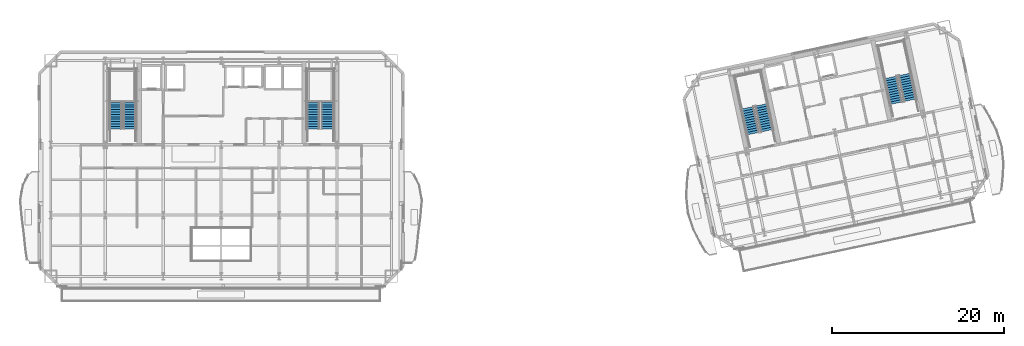
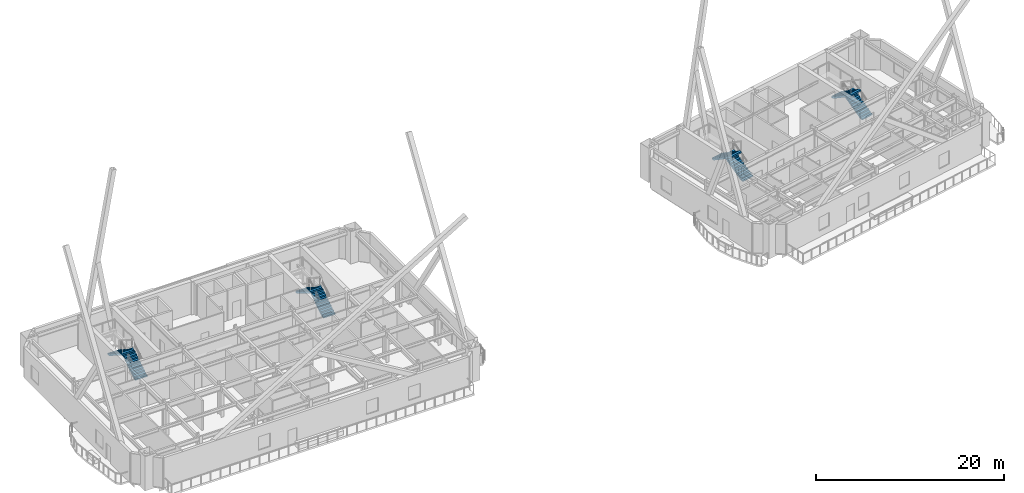
# One storey, part 16 of 22: 8 stair flights, 4 elements without a shape of their own.
"""IFC4 building model written with IfcOpenShell, lengths in metres."""

from ifc_helpers import new_model, si_unit, direction, frame, origin, place, context, subcontext, project, spatial, polyline, outline, extrude, material, type_object, element, aggregate, save


model = new_model("IFC4")

# Units and contexts
model_context = context("Model", 3, precision=1e-05, world=origin(), true_north=direction((0.0, 1.0)))
body_context = subcontext(model_context, "Body", "Model", "MODEL_VIEW")
ifc_project = project(units=[si_unit("LENGTHUNIT", "METRE"), si_unit("AREAUNIT", "SQUARE_METRE"), si_unit("VOLUMEUNIT", "CUBIC_METRE"), si_unit("PLANEANGLEUNIT", "RADIAN"), si_unit("MASSUNIT", "GRAM", prefix="KILO")], contexts=[model_context])

# Site, building, storey
site_placement = place(None, origin())
site = spatial("IfcSite", under=ifc_project, at=site_placement, CompositionType="ELEMENT")
building_placement = place(site_placement, origin())
building = spatial("IfcBuilding", under=site, at=building_placement, Name="Haevon Station Towers", CompositionType="ELEMENT")
storey_placement = place(building_placement, frame((0.0, 0.0, 133.800048828125)))
storey = spatial("IfcBuildingStorey", under=building, at=storey_placement, Name="L36", CompositionType="ELEMENT", Elevation=133.800048828125)

# Stair, stair flights
ifc_material = material(Name="Concrete C40/50", Category="concrete")
stair_type = type_object("IfcStairType", Name="STR-DL1450", PredefinedType="USERDEFINED", material=ifc_material)
stair_1_placement = place(storey_placement, origin())
stair_1 = element("IfcStair", 1, at=stair_1_placement, inside=storey, type_object=stair_type, Name="L36 Escape Stair ST1", ObjectType="TWO_RETURN_STAIR", PredefinedType="USERDEFINED")
stair_flight_type = type_object("IfcStairFlightType", Name="STF-ST1450", PredefinedType="STRAIGHT", material=ifc_material)
stair_flight_1_placement = place(storey_placement, frame((26.85498046875, 40.050048828125, 0.0), z_axis=(0.0, 0.0, 1.0), x_axis=(0.0, 1.0, 0.0)))
stair_flight_1 = element("IfcStairFlight", 2, at=stair_flight_1_placement, type_object=stair_flight_type, Name="L36 ST1 Flight 1", NumberOfRisers=12, NumberOfTreads=11, PredefinedType="STRAIGHT", RiserHeight=0.175, TreadLength=0.28, context=body_context, shape_type="SweptSolid", body=[
    extrude(outline(polyline([(0.0, 0.0), (0.0, 0.175048828125), (0.280029296875, 0.175048828125), (0.280029296875, 0.35009765625), (0.56005859375, 0.35009765625), (0.56005859375, 0.52490234375), (0.840087890625, 0.52490234375), (0.840087890625, 0.699951171875), (1.1201171875, 0.699951171875), (1.1201171875, 0.875), (1.39990234375, 0.875), (1.39990234375, 1.050048828125), (1.679931640625, 1.050048828125), (1.679931640625, 1.22509765625), (1.9599609375, 1.22509765625), (1.9599609375, 1.39990234375), (2.239990234375, 1.39990234375), (2.239990234375, 1.574951171875), (2.52001953125, 1.574951171875), (2.52001953125, 1.75), (2.800048828125, 1.75), (2.800048828125, 1.925048828125), (3.080078125, 1.925048828125), (3.080078125, 2.10009765625), (3.080078125, 1.736328125), (0.3017578125, 0.0), (0.0, 0.0)])), frame((0.0, 0.72509765625, 0.0), z_axis=(0.0, -1.0, 0.0), x_axis=(1.0, 0.0, 0.0)), (0.0, 0.0, 1.0), 1.449951171875),
])
stair_flight_2_placement = place(storey_placement, frame((25.205078125, 43.1298828125, 2.099853515625), z_axis=(0.0, 0.0, 1.0), x_axis=(0.0, -1.0, 0.0)))
stair_flight_2 = element("IfcStairFlight", 3, at=stair_flight_2_placement, type_object=stair_flight_type, Name="L36 ST1 Flight 2", NumberOfRisers=12, NumberOfTreads=11, PredefinedType="STRAIGHT", RiserHeight=0.175, TreadLength=0.28, context=body_context, shape_type="SweptSolid", body=[
    extrude(outline(polyline([(0.0, 0.0), (0.0, 0.175048828125), (0.280029296875, 0.175048828125), (0.280029296875, 0.35009765625), (0.56005859375, 0.35009765625), (0.56005859375, 0.52490234375), (0.840087890625, 0.52490234375), (0.840087890625, 0.699951171875), (1.1201171875, 0.699951171875), (1.1201171875, 0.875), (1.39990234375, 0.875), (1.39990234375, 1.050048828125), (1.679931640625, 1.050048828125), (1.679931640625, 1.22509765625), (1.9599609375, 1.22509765625), (1.9599609375, 1.39990234375), (2.239990234375, 1.39990234375), (2.239990234375, 1.574951171875), (2.52001953125, 1.574951171875), (2.52001953125, 1.75), (2.800048828125, 1.75), (2.800048828125, 1.925048828125), (3.080078125, 1.925048828125), (3.080078125, 2.10009765625), (3.080078125, 1.736328125), (0.3017578125, 0.0), (0.0, 0.0)])), frame((0.0, 0.72509765625, 0.0), z_axis=(0.0, -1.0, 0.0), x_axis=(1.0, 0.0, 0.0)), (0.0, 0.0, 1.0), 1.449951171875),
])
aggregate(stair_1, [stair_flight_1, stair_flight_2])

stair_2_placement = place(storey_placement, origin())
stair_2 = element("IfcStair", 4, at=stair_2_placement, inside=storey, type_object=stair_type, Name="L36 Escape Stair ST2", ObjectType="TWO_RETURN_STAIR", PredefinedType="USERDEFINED")
stair_flight_3_placement = place(storey_placement, frame((49.89501953125, 40.050048828125, 0.0), z_axis=(0.0, 0.0, 1.0), x_axis=(0.0, 1.0, 0.0)))
stair_flight_3 = element("IfcStairFlight", 5, at=stair_flight_3_placement, type_object=stair_flight_type, Name="L36 ST2 Flight 1", NumberOfRisers=12, NumberOfTreads=11, PredefinedType="STRAIGHT", RiserHeight=0.175, TreadLength=0.28, context=body_context, shape_type="SweptSolid", body=[
    extrude(outline(polyline([(0.0, 0.0), (0.0, 0.175048828125), (0.280029296875, 0.175048828125), (0.280029296875, 0.35009765625), (0.56005859375, 0.35009765625), (0.56005859375, 0.52490234375), (0.840087890625, 0.52490234375), (0.840087890625, 0.699951171875), (1.1201171875, 0.699951171875), (1.1201171875, 0.875), (1.39990234375, 0.875), (1.39990234375, 1.050048828125), (1.679931640625, 1.050048828125), (1.679931640625, 1.22509765625), (1.9599609375, 1.22509765625), (1.9599609375, 1.39990234375), (2.239990234375, 1.39990234375), (2.239990234375, 1.574951171875), (2.52001953125, 1.574951171875), (2.52001953125, 1.75), (2.800048828125, 1.75), (2.800048828125, 1.925048828125), (3.080078125, 1.925048828125), (3.080078125, 2.10009765625), (3.080078125, 1.736328125), (0.3017578125, 0.0), (0.0, 0.0)])), frame((0.0, 0.72509765625, 0.0), z_axis=(0.0, -1.0, 0.0), x_axis=(1.0, 0.0, 0.0)), (0.0, 0.0, 1.0), 1.449951171875),
])
stair_flight_4_placement = place(storey_placement, frame((48.2451171875, 43.1298828125, 2.099853515625), z_axis=(0.0, 0.0, 1.0), x_axis=(0.0, -1.0, 0.0)))
stair_flight_4 = element("IfcStairFlight", 6, at=stair_flight_4_placement, type_object=stair_flight_type, Name="L36 ST2 Flight 2", NumberOfRisers=12, NumberOfTreads=11, PredefinedType="STRAIGHT", RiserHeight=0.175, TreadLength=0.28, context=body_context, shape_type="SweptSolid", body=[
    extrude(outline(polyline([(0.0, 0.0), (0.0, 0.175048828125), (0.280029296875, 0.175048828125), (0.280029296875, 0.35009765625), (0.56005859375, 0.35009765625), (0.56005859375, 0.52490234375), (0.840087890625, 0.52490234375), (0.840087890625, 0.699951171875), (1.1201171875, 0.699951171875), (1.1201171875, 0.875), (1.39990234375, 0.875), (1.39990234375, 1.050048828125), (1.679931640625, 1.050048828125), (1.679931640625, 1.22509765625), (1.9599609375, 1.22509765625), (1.9599609375, 1.39990234375), (2.239990234375, 1.39990234375), (2.239990234375, 1.574951171875), (2.52001953125, 1.574951171875), (2.52001953125, 1.75), (2.800048828125, 1.75), (2.800048828125, 1.925048828125), (3.080078125, 1.925048828125), (3.080078125, 2.10009765625), (3.080078125, 1.736328125), (0.3017578125, 0.0), (0.0, 0.0)])), frame((0.0, 0.72509765625, 0.0), z_axis=(0.0, -1.0, 0.0), x_axis=(1.0, 0.0, 0.0)), (0.0, 0.0, 1.0), 1.449951171875),
])
aggregate(stair_2, [stair_flight_3, stair_flight_4])

stair_3_placement = place(storey_placement, origin())
stair_3 = element("IfcStair", 7, at=stair_3_placement, inside=storey, type_object=stair_type, Name="L36 Escape Stair ST3", ObjectType="TWO_RETURN_STAIR", PredefinedType="USERDEFINED")
stair_flight_5_placement = place(storey_placement, frame((101.1015625, 39.8330078125, 0.0), z_axis=(0.0, 0.0, 1.0), x_axis=(-0.207911690818, 0.978147600734, 0.0)))
stair_flight_5 = element("IfcStairFlight", 8, at=stair_flight_5_placement, type_object=stair_flight_type, Name="L36 ST3 Flight 1", NumberOfRisers=12, NumberOfTreads=11, PredefinedType="STRAIGHT", RiserHeight=0.175, TreadLength=0.28, context=body_context, shape_type="SweptSolid", body=[
    extrude(outline(polyline([(0.0, 0.0), (0.0, 0.175048828125), (0.280029296875, 0.175048828125), (0.280029296875, 0.35009765625), (0.56005859375, 0.35009765625), (0.56005859375, 0.52490234375), (0.840087890625, 0.52490234375), (0.840087890625, 0.699951171875), (1.1201171875, 0.699951171875), (1.1201171875, 0.875), (1.39990234375, 0.875), (1.39990234375, 1.050048828125), (1.679931640625, 1.050048828125), (1.679931640625, 1.22509765625), (1.9599609375, 1.22509765625), (1.9599609375, 1.39990234375), (2.239990234375, 1.39990234375), (2.239990234375, 1.574951171875), (2.52001953125, 1.574951171875), (2.52001953125, 1.75), (2.800048828125, 1.75), (2.800048828125, 1.925048828125), (3.080078125, 1.925048828125), (3.080078125, 2.10009765625), (3.080078125, 1.736328125), (0.3017578125, 0.0), (0.0, 0.0)])), frame((0.0, 0.72509765625, 0.0), z_axis=(0.0, -1.0, 0.0), x_axis=(1.0, 0.0, 0.0)), (0.0, 0.0, 1.0), 1.449951171875),
])
stair_flight_6_placement = place(storey_placement, frame((98.847412109375, 42.502685546875, 2.099853515625), z_axis=(0.0, 0.0, 1.0), x_axis=(0.207911690818, -0.978147600734, 0.0)))
stair_flight_6 = element("IfcStairFlight", 9, at=stair_flight_6_placement, type_object=stair_flight_type, Name="L36 ST3 Flight 2", NumberOfRisers=12, NumberOfTreads=11, PredefinedType="STRAIGHT", RiserHeight=0.175, TreadLength=0.28, context=body_context, shape_type="SweptSolid", body=[
    extrude(outline(polyline([(0.0, 0.0), (0.0, 0.175048828125), (0.280029296875, 0.175048828125), (0.280029296875, 0.35009765625), (0.56005859375, 0.35009765625), (0.56005859375, 0.52490234375), (0.840087890625, 0.52490234375), (0.840087890625, 0.699951171875), (1.1201171875, 0.699951171875), (1.1201171875, 0.875), (1.39990234375, 0.875), (1.39990234375, 1.050048828125), (1.679931640625, 1.050048828125), (1.679931640625, 1.22509765625), (1.9599609375, 1.22509765625), (1.9599609375, 1.39990234375), (2.239990234375, 1.39990234375), (2.239990234375, 1.574951171875), (2.52001953125, 1.574951171875), (2.52001953125, 1.75), (2.800048828125, 1.75), (2.800048828125, 1.925048828125), (3.080078125, 1.925048828125), (3.080078125, 2.10009765625), (3.080078125, 1.736328125), (0.3017578125, 0.0), (0.0, 0.0)])), frame((0.0, 0.72509765625, 0.0), z_axis=(0.0, -1.0, 0.0), x_axis=(1.0, 0.0, 0.0)), (0.0, 0.0, 1.0), 1.449951171875),
])
aggregate(stair_3, [stair_flight_5, stair_flight_6])

stair_4_placement = place(storey_placement, origin())
stair_4 = element("IfcStair", 10, at=stair_4_placement, inside=storey, type_object=stair_type, Name="L36 Escape Stair ST4", ObjectType="TWO_RETURN_STAIR", PredefinedType="USERDEFINED")
stair_flight_7_placement = place(storey_placement, frame((117.788818359375, 43.380126953125, 0.0), z_axis=(0.0, 0.0, 1.0), x_axis=(-0.207911690818, 0.978147600734, 0.0)))
stair_flight_7 = element("IfcStairFlight", 11, at=stair_flight_7_placement, type_object=stair_flight_type, Name="L36 ST4 Flight 1", NumberOfRisers=12, NumberOfTreads=11, PredefinedType="STRAIGHT", RiserHeight=0.175, TreadLength=0.28, context=body_context, shape_type="SweptSolid", body=[
    extrude(outline(polyline([(0.0, 0.0), (0.0, 0.175048828125), (0.280029296875, 0.175048828125), (0.280029296875, 0.35009765625), (0.56005859375, 0.35009765625), (0.56005859375, 0.52490234375), (0.840087890625, 0.52490234375), (0.840087890625, 0.699951171875), (1.1201171875, 0.699951171875), (1.1201171875, 0.875), (1.39990234375, 0.875), (1.39990234375, 1.050048828125), (1.679931640625, 1.050048828125), (1.679931640625, 1.22509765625), (1.9599609375, 1.22509765625), (1.9599609375, 1.39990234375), (2.239990234375, 1.39990234375), (2.239990234375, 1.574951171875), (2.52001953125, 1.574951171875), (2.52001953125, 1.75), (2.800048828125, 1.75), (2.800048828125, 1.925048828125), (3.080078125, 1.925048828125), (3.080078125, 2.10009765625), (3.080078125, 1.736328125), (0.3017578125, 0.0), (0.0, 0.0)])), frame((0.0, 0.72509765625, 0.0), z_axis=(0.0, -1.0, 0.0), x_axis=(1.0, 0.0, 0.0)), (0.0, 0.0, 1.0), 1.449951171875),
])
stair_flight_8_placement = place(storey_placement, frame((115.534423828125, 46.0498046875, 2.099853515625), z_axis=(0.0, 0.0, 1.0), x_axis=(0.207911690818, -0.978147600734, 0.0)))
stair_flight_8 = element("IfcStairFlight", 12, at=stair_flight_8_placement, type_object=stair_flight_type, Name="L36 ST4 Flight 2", NumberOfRisers=12, NumberOfTreads=11, PredefinedType="STRAIGHT", RiserHeight=0.175, TreadLength=0.28, context=body_context, shape_type="SweptSolid", body=[
    extrude(outline(polyline([(0.0, 0.0), (0.0, 0.175048828125), (0.280029296875, 0.175048828125), (0.280029296875, 0.35009765625), (0.56005859375, 0.35009765625), (0.56005859375, 0.52490234375), (0.840087890625, 0.52490234375), (0.840087890625, 0.699951171875), (1.1201171875, 0.699951171875), (1.1201171875, 0.875), (1.39990234375, 0.875), (1.39990234375, 1.050048828125), (1.679931640625, 1.050048828125), (1.679931640625, 1.22509765625), (1.9599609375, 1.22509765625), (1.9599609375, 1.39990234375), (2.239990234375, 1.39990234375), (2.239990234375, 1.574951171875), (2.52001953125, 1.574951171875), (2.52001953125, 1.75), (2.800048828125, 1.75), (2.800048828125, 1.925048828125), (3.080078125, 1.925048828125), (3.080078125, 2.10009765625), (3.080078125, 1.736328125), (0.3017578125, 0.0), (0.0, 0.0)])), frame((0.0, 0.72509765625, 0.0), z_axis=(0.0, -1.0, 0.0), x_axis=(1.0, 0.0, 0.0)), (0.0, 0.0, 1.0), 1.449951171875),
])
aggregate(stair_4, [stair_flight_7, stair_flight_8])

save(model, "model.ifc")
